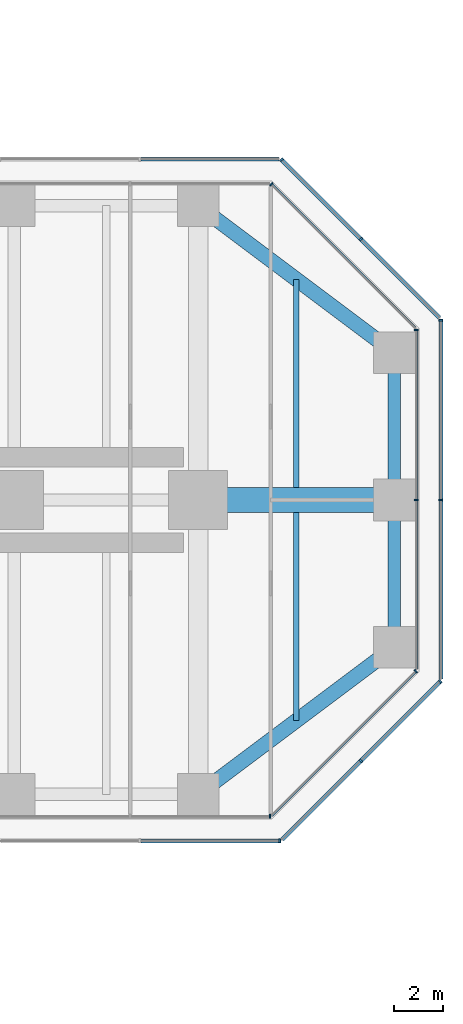
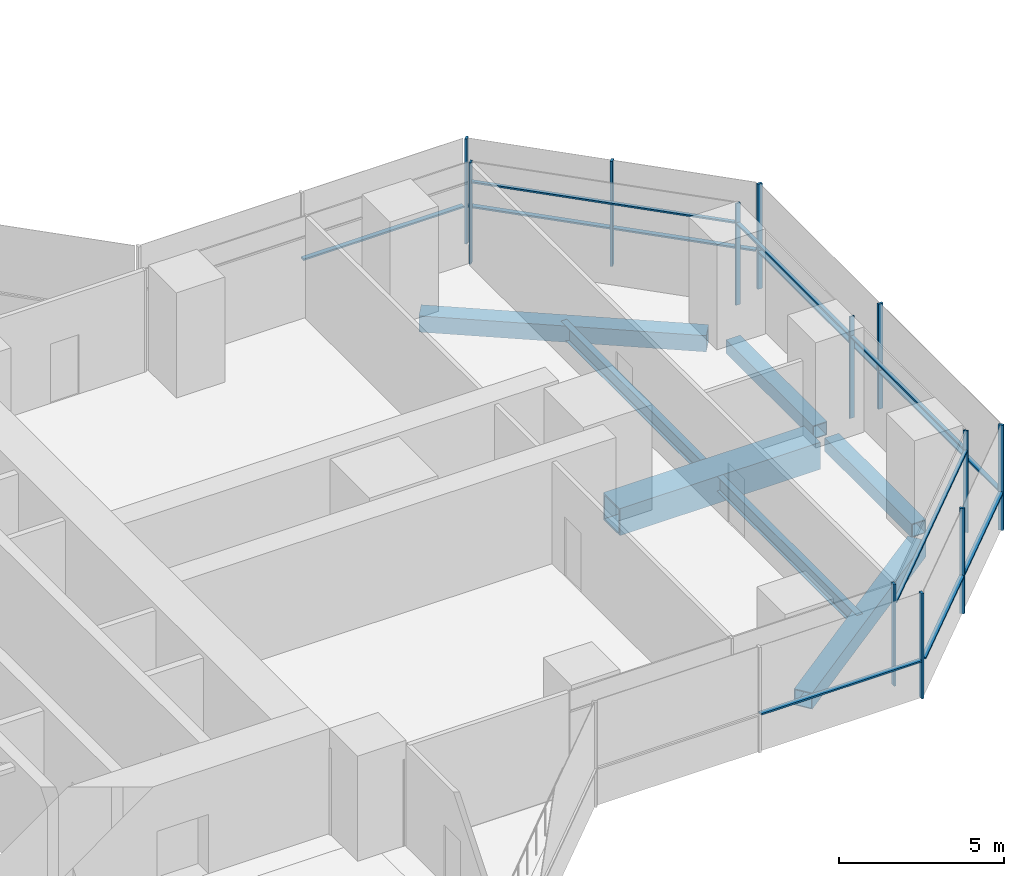
# One storey, part 12 of 22: 24 members, 7 beams, 9 elements without a shape of their own.
"""IFC4 building model written with IfcOpenShell, lengths in metres."""

from ifc_helpers import new_model, si_unit, direction, frame, origin, origin_2d, place, context, subcontext, project, spatial, rectangle, hollow_rectangle, i_section, extrude, material, material_profile, profile_set, type_object, element, aggregate, save


model = new_model("IFC4")

# Units and contexts
model_context = context("Model", 3, precision=1e-05, world=origin(), true_north=direction((0.0, 1.0)))
body_context = subcontext(model_context, "Body", "Model", "MODEL_VIEW")
ifc_project = project(units=[si_unit("LENGTHUNIT", "METRE"), si_unit("AREAUNIT", "SQUARE_METRE"), si_unit("VOLUMEUNIT", "CUBIC_METRE"), si_unit("PLANEANGLEUNIT", "RADIAN"), si_unit("MASSUNIT", "GRAM", prefix="KILO")], contexts=[model_context])

# Site, building, storey
site_placement = place(None, origin())
site = spatial("IfcSite", under=ifc_project, at=site_placement, CompositionType="ELEMENT")
building_placement = place(site_placement, origin())
building = spatial("IfcBuilding", under=site, at=building_placement, Name="Mizan Broadcast Tower", CompositionType="ELEMENT")
storey_placement = place(building_placement, frame((0.0, 0.0, 66.89990234375)))
storey = spatial("IfcBuildingStorey", under=building, at=storey_placement, Name="L13", CompositionType="ELEMENT", Elevation=66.89990234375)

# Beams
ifc_material_1 = material(Name="Steel S355", Category="steel")
ifc_material_profile_1 = material_profile(ifc_material_1, hollow_rectangle(XDim=0.5, YDim=0.5, WallThickness=0.030029296875, at=origin_2d()), Name="BOX 500x500x30")
ifc_profile_set_1 = profile_set([ifc_material_profile_1], Name="Steel S355")
beam_type_1 = type_object("IfcBeamType", Name="EDGE BEAM BOX 500x500x30", PredefinedType="SPANDREL", material=ifc_profile_set_1)
for number, where, z_axis, x_axis, name in (
    (1, (35.0, -5.639892578125, -0.3798828125), (0.0, 1.0, 0.0), (-1.0, 0.0, 0.0), "Edge beam BOX 500x500x30 L13 east arm"),
    (2, (35.0, 5.639892578125, -0.3798828125), (0.0, -1.0, 0.0), (1.0, 0.0, 0.0), "Edge beam BOX 500x500x30 L13 east arm"),
):
    element("IfcBeam", number, at=place(storey_placement, frame(where, z_axis=z_axis, x_axis=x_axis)), inside=storey, type_object=beam_type_1, Name=name, PredefinedType="SPANDREL", context=body_context, shape_type="SweptSolid", body=[
        extrude(hollow_rectangle(XDim=0.5, YDim=0.5, WallThickness=0.030029296875, at=origin_2d()), origin(), (0.0, 0.0, 1.0), 5.27978515625),
    ])
ifc_material_2 = material(Name="Steel S355", Category="steel")
ifc_material_profile_2 = material_profile(ifc_material_2, hollow_rectangle(XDim=0.60009765625, YDim=0.60009765625, WallThickness=0.030029296875, at=origin_2d()), Name="BOX 600x600x30")
ifc_profile_set_2 = profile_set([ifc_material_profile_2], Name="Steel S355")
beam_type_2 = type_object("IfcBeamType", Name="EDGE BEAM BOX 600x600x30", PredefinedType="SPANDREL", material=ifc_profile_set_2)
for number, where, z_axis, x_axis, name in (
    (3, (27.47998046875, -11.639892578125, -0.429931640625), (0.800013316712, 0.599982243973, 0.0), (-0.599982243973, 0.800013316712, 0.0), "Edge beam BOX 600x600x30 L13 east arm"),
    (4, (27.47998046875, 11.639892578125, -0.429931640625), (0.800013316712, -0.599982243973, 0.0), (0.599982243973, 0.800013316712, 0.0), "Edge beam BOX 600x600x30 L13 east arm"),
):
    element("IfcBeam", number, at=place(storey_placement, frame(where, z_axis=z_axis, x_axis=x_axis)), inside=storey, type_object=beam_type_2, Name=name, PredefinedType="SPANDREL", context=body_context, shape_type="SweptSolid", body=[
        extrude(hollow_rectangle(XDim=0.60009765625, YDim=0.60009765625, WallThickness=0.030029296875, at=origin_2d()), origin(), (0.0, 0.0, 1.0), 8.7998046875),
    ])
ifc_material_3 = material(Name="Steel S460", Category="steel")
ifc_material_profile_3 = material_profile(ifc_material_3, hollow_rectangle(XDim=1.0, YDim=1.0, WallThickness=0.06005859375, at=origin_2d()), Name="BOX 1000x1000x60")
ifc_profile_set_3 = profile_set([ifc_material_profile_3], Name="Steel S460")
beam_type_3 = type_object("IfcBeamType", Name="GIRDER BOX 1000x1000x60", PredefinedType="BEAM", material=ifc_profile_set_3)
beam_placement = place(storey_placement, frame((27.47998046875, 0.0, -0.6298828125), z_axis=(1.0, 0.0, 0.0), x_axis=(0.0, 1.0, 0.0)))
element("IfcBeam", 5, at=beam_placement, inside=storey, type_object=beam_type_3, Name="Girder BOX 1000x1000x60 L13 east arm", PredefinedType="BEAM", context=body_context, shape_type="SweptSolid", body=[
    extrude(hollow_rectangle(XDim=1.0, YDim=1.0, WallThickness=0.06005859375, at=origin_2d()), origin(), (0.0, 0.0, 1.0), 7.0400390625),
])

# Curtain wall, member
ifc_material_4 = material(Name="Aluminium framed glazing", Category="aluminium")
curtain_wall_type_1 = type_object("IfcCurtainWallType", Name="INNER SKIN LOW ZONE", PredefinedType="USERDEFINED", material=ifc_material_4)
curtain_wall_1_placement = place(storey_placement, origin())
curtain_wall_1 = element("IfcCurtainWall", 6, at=curtain_wall_1_placement, inside=storey, type_object=curtain_wall_type_1, Name="Inner skin low zone L13 E side", ObjectType="INNER SKIN LOW ZONE", PredefinedType="USERDEFINED")
ifc_material_5 = material(Name="Aluminium, pale anodised", Category="aluminium")
ifc_material_profile_4 = material_profile(ifc_material_5, rectangle(XDim=0.159912109375, YDim=0.06005859375, at=origin_2d()), Name="MULLION 160x60")
ifc_profile_set_4 = profile_set([ifc_material_profile_4], Name="Aluminium, pale anodised")
member_type_1 = type_object("IfcMemberType", Name="INNER SKIN MULLION 60x160", PredefinedType="MULLION", material=ifc_profile_set_4)
member_1_placement = place(storey_placement, frame((29.928466796875, -12.89990234375, 0.0), z_axis=(0.0, 0.0, 1.0), x_axis=(0.0, 1.0, 0.0)))
member_1 = element("IfcMember", 7, at=member_1_placement, type_object=member_type_1, Name="Inner skin low zone L13 E side mullion 3", PredefinedType="MULLION", context=body_context, shape_type="SweptSolid", body=[
    extrude(rectangle(XDim=0.159912109375, YDim=0.06005859375, at=origin_2d()), origin(), (0.0, 0.0, 1.0), 3.77001953125),
])
aggregate(curtain_wall_1, [member_1])

curtain_wall_2_placement = place(storey_placement, origin())
curtain_wall_2 = element("IfcCurtainWall", 8, at=curtain_wall_2_placement, inside=storey, type_object=curtain_wall_type_1, Name="Inner skin low zone L13 E chamfer", ObjectType="INNER SKIN LOW ZONE", PredefinedType="USERDEFINED")
member_2_placement = place(storey_placement, frame((35.87890625, -6.979736328125, 0.0), z_axis=(0.0, 0.0, 1.0), x_axis=(-0.707106781187, 0.707106781187, 0.0)))
member_2 = element("IfcMember", 9, at=member_2_placement, type_object=member_type_1, Name="Inner skin low zone L13 E chamfer mullion 2", PredefinedType="MULLION", context=body_context, shape_type="SweptSolid", body=[
    extrude(rectangle(XDim=0.159912109375, YDim=0.06005859375, at=origin_2d()), origin(), (0.0, 0.0, 1.0), 3.77001953125),
])

# Curtain wall, members
curtain_wall_3_placement = place(storey_placement, origin())
curtain_wall_3 = element("IfcCurtainWall", 10, at=curtain_wall_3_placement, inside=storey, type_object=curtain_wall_type_1, Name="Inner skin low zone L13 E end", ObjectType="INNER SKIN LOW ZONE", PredefinedType="USERDEFINED")
member_3_placement = place(storey_placement, frame((35.89990234375, 0.0, 0.0), z_axis=(0.0, 0.0, 1.0), x_axis=(-1.0, 0.0, 0.0)))
member_3 = element("IfcMember", 11, at=member_3_placement, type_object=member_type_1, Name="Inner skin low zone L13 E end mullion 2", PredefinedType="MULLION", context=body_context, shape_type="SweptSolid", body=[
    extrude(rectangle(XDim=0.159912109375, YDim=0.06005859375, at=origin_2d()), origin(), (0.0, 0.0, 1.0), 3.77001953125),
])
member_4_placement = place(storey_placement, frame((35.89990234375, 6.928466796875, 0.0), z_axis=(0.0, 0.0, 1.0), x_axis=(-1.0, 0.0, 0.0)))
member_4 = element("IfcMember", 12, at=member_4_placement, type_object=member_type_1, Name="Inner skin low zone L13 E end mullion 3", PredefinedType="MULLION", context=body_context, shape_type="SweptSolid", body=[
    extrude(rectangle(XDim=0.159912109375, YDim=0.06005859375, at=origin_2d()), origin(), (0.0, 0.0, 1.0), 3.77001953125),
])

# Curtain wall, member
curtain_wall_4_placement = place(storey_placement, origin())
curtain_wall_4 = element("IfcCurtainWall", 13, at=curtain_wall_4_placement, inside=storey, type_object=curtain_wall_type_1, Name="Inner skin low zone L13 E chamfer", ObjectType="INNER SKIN LOW ZONE", PredefinedType="USERDEFINED")
member_5_placement = place(storey_placement, frame((29.979736328125, 12.87890625, 0.0), z_axis=(0.0, 0.0, 1.0), x_axis=(-0.707106781187, -0.707106781187, 0.0)))
member_5 = element("IfcMember", 14, at=member_5_placement, type_object=member_type_1, Name="Inner skin low zone L13 E chamfer mullion 2", PredefinedType="MULLION", context=body_context, shape_type="SweptSolid", body=[
    extrude(rectangle(XDim=0.159912109375, YDim=0.06005859375, at=origin_2d()), origin(), (0.0, 0.0, 1.0), 3.77001953125),
])

# Member
ifc_material_6 = material(Name="Aluminium, pale anodised", Category="aluminium")
ifc_material_profile_5 = material_profile(ifc_material_6, rectangle(XDim=0.1201171875, YDim=0.06005859375, at=origin_2d()), Name="TRANSOM 120x60")
ifc_profile_set_5 = profile_set([ifc_material_profile_5], Name="Aluminium, pale anodised")
member_type_2 = type_object("IfcMemberType", Name="INNER SKIN TRANSOM 60x120", PredefinedType="USERDEFINED", material=ifc_profile_set_5)
member_6_placement = place(storey_placement, frame((30.0009765625, -12.857666015625, 3.030029296875), z_axis=(0.707106781187, 0.707106781187, 0.0), x_axis=(-0.707106781187, 0.707106781187, 0.0)))
member_6 = element("IfcMember", 15, at=member_6_placement, type_object=member_type_2, Name="Inner skin low zone L13 E chamfer transom 1.1", ObjectType="TRANSOM", PredefinedType="USERDEFINED", context=body_context, shape_type="SweptSolid", body=[
    extrude(rectangle(XDim=0.1201171875, YDim=0.06005859375, at=origin_2d()), origin(), (0.0, 0.0, 1.0), 8.28271484375),
])

aggregate(curtain_wall_2, [member_2, member_6])

member_7_placement = place(storey_placement, frame((35.89990234375, -6.898681640625, 3.030029296875), z_axis=(0.0, 1.0, 0.0), x_axis=(-1.0, 0.0, 0.0)))
member_7 = element("IfcMember", 16, at=member_7_placement, type_object=member_type_2, Name="Inner skin low zone L13 E end transom 1.1", ObjectType="TRANSOM", PredefinedType="USERDEFINED", context=body_context, shape_type="SweptSolid", body=[
    extrude(rectangle(XDim=0.1201171875, YDim=0.06005859375, at=origin_2d()), origin(), (0.0, 0.0, 1.0), 6.86865234375),
])

member_8_placement = place(storey_placement, frame((35.89990234375, 0.030029296875, 3.030029296875), z_axis=(0.0, 1.0, 0.0), x_axis=(-1.0, 0.0, 0.0)))
member_8 = element("IfcMember", 17, at=member_8_placement, type_object=member_type_2, Name="Inner skin low zone L13 E end transom 2.1", ObjectType="TRANSOM", PredefinedType="USERDEFINED", context=body_context, shape_type="SweptSolid", body=[
    extrude(rectangle(XDim=0.1201171875, YDim=0.06005859375, at=origin_2d()), origin(), (0.0, 0.0, 1.0), 6.86865234375),
])

aggregate(curtain_wall_3, [member_3, member_4, member_7, member_8])

member_9_placement = place(storey_placement, frame((35.857666015625, 7.0009765625, 3.030029296875), z_axis=(-0.707106781187, 0.707106781187, 0.0), x_axis=(-0.707106781187, -0.707106781187, 0.0)))
member_9 = element("IfcMember", 18, at=member_9_placement, type_object=member_type_2, Name="Inner skin low zone L13 E chamfer transom 1.1", ObjectType="TRANSOM", PredefinedType="USERDEFINED", context=body_context, shape_type="SweptSolid", body=[
    extrude(rectangle(XDim=0.1201171875, YDim=0.06005859375, at=origin_2d()), origin(), (0.0, 0.0, 1.0), 8.28271484375),
])

aggregate(curtain_wall_4, [member_5, member_9])

# Curtain wall, members
ifc_material_7 = material(Name="Aluminium framed glazing", Category="aluminium")
curtain_wall_type_2 = type_object("IfcCurtainWallType", Name="OUTER SKIN", PredefinedType="USERDEFINED", material=ifc_material_7)
curtain_wall_5_placement = place(storey_placement, origin())
curtain_wall_5 = element("IfcCurtainWall", 19, at=curtain_wall_5_placement, inside=storey, type_object=curtain_wall_type_2, Name="Outer skin L13 E chamfer", ObjectType="OUTER SKIN", PredefinedType="USERDEFINED")
ifc_material_8 = material(Name="Aluminium, pale anodised", Category="aluminium")
ifc_material_profile_6 = material_profile(ifc_material_8, rectangle(XDim=0.159912109375, YDim=0.080078125, at=origin_2d()), Name="MULLION 160x80")
ifc_profile_set_6 = profile_set([ifc_material_profile_6], Name="Aluminium, pale anodised")
member_type_3 = type_object("IfcMemberType", Name="OUTER SKIN MULLION 80x160", PredefinedType="MULLION", material=ifc_profile_set_6)
member_10_placement = place(storey_placement, frame((33.636474609375, -10.636474609375, 0.0), z_axis=(0.0, 0.0, 1.0), x_axis=(-0.707106781187, 0.707106781187, 0.0)))
member_10 = element("IfcMember", 20, at=member_10_placement, type_object=member_type_3, Name="Outer skin L13 E chamfer mullion 2", PredefinedType="MULLION", context=body_context, shape_type="SweptSolid", body=[
    extrude(rectangle(XDim=0.159912109375, YDim=0.080078125, at=origin_2d()), origin(), (0.0, 0.0, 1.0), 3.900146484375),
])
member_11_placement = place(storey_placement, frame((36.871826171875, -7.401123046875, 0.0), z_axis=(0.0, 0.0, 1.0), x_axis=(-0.707106781187, 0.707106781187, 0.0)))
member_11 = element("IfcMember", 21, at=member_11_placement, type_object=member_type_3, Name="Outer skin L13 E chamfer mullion 3", PredefinedType="MULLION", context=body_context, shape_type="SweptSolid", body=[
    extrude(rectangle(XDim=0.159912109375, YDim=0.080078125, at=origin_2d()), origin(), (0.0, 0.0, 1.0), 3.900146484375),
])

curtain_wall_6_placement = place(storey_placement, origin())
curtain_wall_6 = element("IfcCurtainWall", 22, at=curtain_wall_6_placement, inside=storey, type_object=curtain_wall_type_2, Name="Outer skin L13 E end", ObjectType="OUTER SKIN", PredefinedType="USERDEFINED")
member_12_placement = place(storey_placement, frame((36.89990234375, 0.0, 0.0), z_axis=(0.0, 0.0, 1.0), x_axis=(-1.0, 0.0, 0.0)))
member_12 = element("IfcMember", 23, at=member_12_placement, type_object=member_type_3, Name="Outer skin L13 E end mullion 2", PredefinedType="MULLION", context=body_context, shape_type="SweptSolid", body=[
    extrude(rectangle(XDim=0.159912109375, YDim=0.080078125, at=origin_2d()), origin(), (0.0, 0.0, 1.0), 3.900146484375),
])
member_13_placement = place(storey_placement, frame((36.89990234375, 7.332763671875, 0.0), z_axis=(0.0, 0.0, 1.0), x_axis=(-1.0, 0.0, 0.0)))
member_13 = element("IfcMember", 24, at=member_13_placement, type_object=member_type_3, Name="Outer skin L13 E end mullion 3", PredefinedType="MULLION", context=body_context, shape_type="SweptSolid", body=[
    extrude(rectangle(XDim=0.159912109375, YDim=0.080078125, at=origin_2d()), origin(), (0.0, 0.0, 1.0), 3.900146484375),
])

curtain_wall_7_placement = place(storey_placement, origin())
curtain_wall_7 = element("IfcCurtainWall", 25, at=curtain_wall_7_placement, inside=storey, type_object=curtain_wall_type_2, Name="Outer skin L13 E chamfer", ObjectType="OUTER SKIN", PredefinedType="USERDEFINED")
member_14_placement = place(storey_placement, frame((33.636474609375, 10.636474609375, 0.0), z_axis=(0.0, 0.0, 1.0), x_axis=(-0.707106781187, -0.707106781187, 0.0)))
member_14 = element("IfcMember", 26, at=member_14_placement, type_object=member_type_3, Name="Outer skin L13 E chamfer mullion 2", PredefinedType="MULLION", context=body_context, shape_type="SweptSolid", body=[
    extrude(rectangle(XDim=0.159912109375, YDim=0.080078125, at=origin_2d()), origin(), (0.0, 0.0, 1.0), 3.900146484375),
])
member_15_placement = place(storey_placement, frame((30.401123046875, 13.871826171875, 0.0), z_axis=(0.0, 0.0, 1.0), x_axis=(-0.707106781187, -0.707106781187, 0.0)))
member_15 = element("IfcMember", 27, at=member_15_placement, type_object=member_type_3, Name="Outer skin L13 E chamfer mullion 3", PredefinedType="MULLION", context=body_context, shape_type="SweptSolid", body=[
    extrude(rectangle(XDim=0.159912109375, YDim=0.080078125, at=origin_2d()), origin(), (0.0, 0.0, 1.0), 3.900146484375),
])

# Curtain wall, member
curtain_wall_8_placement = place(storey_placement, origin())
curtain_wall_8 = element("IfcCurtainWall", 28, at=curtain_wall_8_placement, inside=storey, type_object=curtain_wall_type_2, Name="Outer skin L13 E side", ObjectType="OUTER SKIN", PredefinedType="USERDEFINED")
member_16_placement = place(storey_placement, frame((30.332763671875, -13.89990234375, 0.0), z_axis=(0.0, 0.0, 1.0), x_axis=(0.0, 1.0, 0.0)))
member_16 = element("IfcMember", 29, at=member_16_placement, type_object=member_type_3, Name="Outer skin L13 E side mullion 3", PredefinedType="MULLION", context=body_context, shape_type="SweptSolid", body=[
    extrude(rectangle(XDim=0.159912109375, YDim=0.080078125, at=origin_2d()), origin(), (0.0, 0.0, 1.0), 3.900146484375),
])

# Member
ifc_material_9 = material(Name="Aluminium, pale anodised", Category="aluminium")
ifc_material_profile_7 = material_profile(ifc_material_9, rectangle(XDim=0.159912109375, YDim=0.06005859375, at=origin_2d()), Name="TRANSOM 160x60")
ifc_profile_set_7 = profile_set([ifc_material_profile_7], Name="Aluminium, pale anodised")
member_type_4 = type_object("IfcMemberType", Name="OUTER SKIN TRANSOM 60x160", PredefinedType="USERDEFINED", material=ifc_profile_set_7)
member_17_placement = place(storey_placement, frame((30.429443359375, -13.843505859375, 1.400146484375), z_axis=(0.707106781187, 0.707106781187, 0.0), x_axis=(-0.707106781187, 0.707106781187, 0.0)))
member_17 = element("IfcMember", 30, at=member_17_placement, type_object=member_type_4, Name="Outer skin L13 E chamfer transom 1.1", ObjectType="TRANSOM", PredefinedType="USERDEFINED", context=body_context, shape_type="SweptSolid", body=[
    extrude(rectangle(XDim=0.159912109375, YDim=0.06005859375, at=origin_2d()), origin(), (0.0, 0.0, 1.0), 4.495361328125),
])

member_18_placement = place(storey_placement, frame((33.664794921875, -10.608154296875, 1.400146484375), z_axis=(0.707106781187, 0.707106781187, 0.0), x_axis=(-0.707106781187, 0.707106781187, 0.0)))
member_18 = element("IfcMember", 31, at=member_18_placement, type_object=member_type_4, Name="Outer skin L13 E chamfer transom 2.1", ObjectType="TRANSOM", PredefinedType="USERDEFINED", context=body_context, shape_type="SweptSolid", body=[
    extrude(rectangle(XDim=0.159912109375, YDim=0.06005859375, at=origin_2d()), origin(), (0.0, 0.0, 1.0), 4.495361328125),
])

aggregate(curtain_wall_5, [member_10, member_11, member_17, member_18])

member_19_placement = place(storey_placement, frame((36.89990234375, -7.292724609375, 1.400146484375), z_axis=(0.0, 1.0, 0.0), x_axis=(-1.0, 0.0, 0.0)))
member_19 = element("IfcMember", 32, at=member_19_placement, type_object=member_type_4, Name="Outer skin L13 E end transom 1.1", ObjectType="TRANSOM", PredefinedType="USERDEFINED", context=body_context, shape_type="SweptSolid", body=[
    extrude(rectangle(XDim=0.159912109375, YDim=0.06005859375, at=origin_2d()), origin(), (0.0, 0.0, 1.0), 7.252685546875),
])

member_20_placement = place(storey_placement, frame((36.89990234375, 0.0400390625, 1.400146484375), z_axis=(0.0, 1.0, 0.0), x_axis=(-1.0, 0.0, 0.0)))
member_20 = element("IfcMember", 33, at=member_20_placement, type_object=member_type_4, Name="Outer skin L13 E end transom 2.1", ObjectType="TRANSOM", PredefinedType="USERDEFINED", context=body_context, shape_type="SweptSolid", body=[
    extrude(rectangle(XDim=0.159912109375, YDim=0.06005859375, at=origin_2d()), origin(), (0.0, 0.0, 1.0), 7.252685546875),
])

aggregate(curtain_wall_6, [member_12, member_13, member_19, member_20])

member_21_placement = place(storey_placement, frame((36.843505859375, 7.429443359375, 1.400146484375), z_axis=(-0.707106781187, 0.707106781187, 0.0), x_axis=(-0.707106781187, -0.707106781187, 0.0)))
member_21 = element("IfcMember", 34, at=member_21_placement, type_object=member_type_4, Name="Outer skin L13 E chamfer transom 1.1", ObjectType="TRANSOM", PredefinedType="USERDEFINED", context=body_context, shape_type="SweptSolid", body=[
    extrude(rectangle(XDim=0.159912109375, YDim=0.06005859375, at=origin_2d()), origin(), (0.0, 0.0, 1.0), 4.495361328125),
])

member_22_placement = place(storey_placement, frame((33.608154296875, 10.664794921875, 1.400146484375), z_axis=(-0.707106781187, 0.707106781187, 0.0), x_axis=(-0.707106781187, -0.707106781187, 0.0)))
member_22 = element("IfcMember", 35, at=member_22_placement, type_object=member_type_4, Name="Outer skin L13 E chamfer transom 2.1", ObjectType="TRANSOM", PredefinedType="USERDEFINED", context=body_context, shape_type="SweptSolid", body=[
    extrude(rectangle(XDim=0.159912109375, YDim=0.06005859375, at=origin_2d()), origin(), (0.0, 0.0, 1.0), 4.495361328125),
])

aggregate(curtain_wall_7, [member_14, member_15, member_21, member_22])

# Curtain wall, member
curtain_wall_9_placement = place(storey_placement, origin())
curtain_wall_9 = element("IfcCurtainWall", 36, at=curtain_wall_9_placement, inside=storey, type_object=curtain_wall_type_2, Name="Outer skin L13 E side", ObjectType="OUTER SKIN", PredefinedType="USERDEFINED")
member_23_placement = place(storey_placement, frame((30.292724609375, 13.89990234375, 1.400146484375), z_axis=(-1.0, 0.0, 0.0), x_axis=(0.0, -1.0, 0.0)))
member_23 = element("IfcMember", 37, at=member_23_placement, type_object=member_type_4, Name="Outer skin L13 E side transom 1.1", ObjectType="TRANSOM", PredefinedType="USERDEFINED", context=body_context, shape_type="SweptSolid", body=[
    extrude(rectangle(XDim=0.159912109375, YDim=0.06005859375, at=origin_2d()), origin(), (0.0, 0.0, 1.0), 5.6298828125),
])
aggregate(curtain_wall_9, [member_23])

# Member
member_24_placement = place(storey_placement, frame((24.662841796875, -13.89990234375, 1.400146484375), z_axis=(1.0, 0.0, 0.0), x_axis=(0.0, 1.0, 0.0)))
member_24 = element("IfcMember", 38, at=member_24_placement, type_object=member_type_4, Name="Outer skin L13 E side transom 2.1", ObjectType="TRANSOM", PredefinedType="USERDEFINED", context=body_context, shape_type="SweptSolid", body=[
    extrude(rectangle(XDim=0.159912109375, YDim=0.06005859375, at=origin_2d()), origin(), (0.0, 0.0, 1.0), 5.6298828125),
])

aggregate(curtain_wall_8, [member_16, member_24])

# Beams
ifc_material_10 = material(Name="Steel S355", Category="steel")
ifc_material_profile_8 = material_profile(ifc_material_10, i_section(OverallWidth=0.2099609375, OverallDepth=0.550048828125, WebThickness=0.010986328125, FlangeThickness=0.01708984375, FilletRadius=0.02392578125, at=origin_2d()), Name="IPE 550")
ifc_profile_set_8 = profile_set([ifc_material_profile_8], Name="Steel S355")
beam_type_4 = type_object("IfcBeamType", Name="SECONDARY BEAM IPE 550", PredefinedType="JOIST", material=ifc_profile_set_8)
for number, where, z_axis, x_axis, name in (
    (39, (31.0, -9.0, -0.40478515625), (0.0, 1.0, 0.0), (-1.0, 0.0, 0.0), "Secondary beam IPE 550 L13 east arm"),
    (40, (31.0, 9.0, -0.40478515625), (0.0, -1.0, 0.0), (1.0, 0.0, 0.0), "Secondary beam IPE 550 L13 east arm"),
):
    element("IfcBeam", number, at=place(storey_placement, frame(where, z_axis=z_axis, x_axis=x_axis)), inside=storey, type_object=beam_type_4, Name=name, PredefinedType="JOIST", context=body_context, shape_type="SweptSolid", body=[
        extrude(i_section(OverallWidth=0.2099609375, OverallDepth=0.550048828125, WebThickness=0.010986328125, FlangeThickness=0.01708984375, FilletRadius=0.02392578125, at=origin_2d()), origin(), (0.0, 0.0, 1.0), 8.5),
    ])

save(model, "model.ifc")
